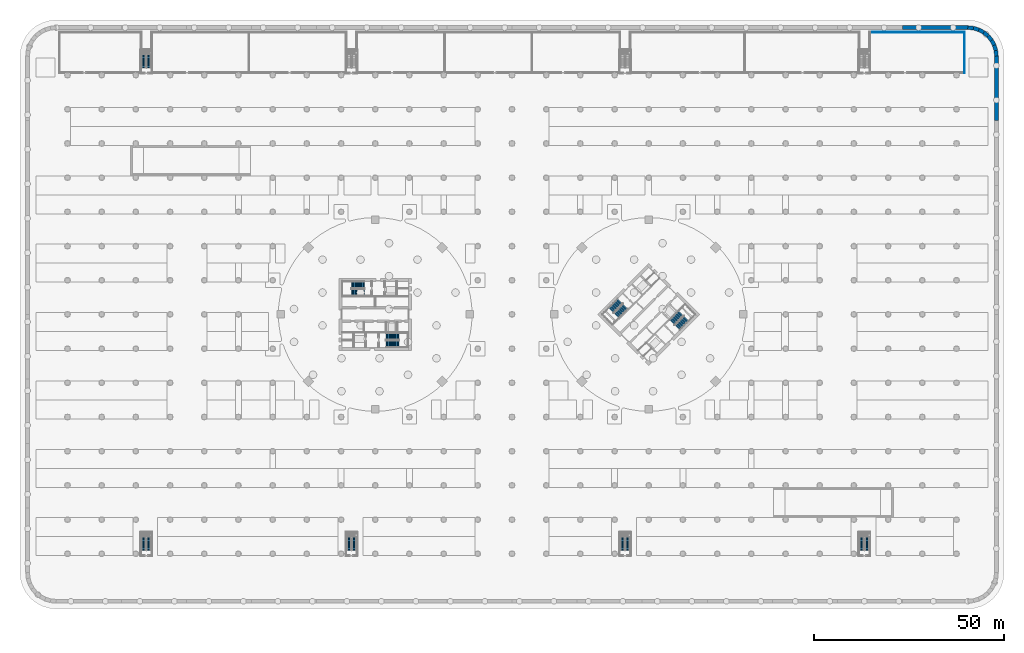
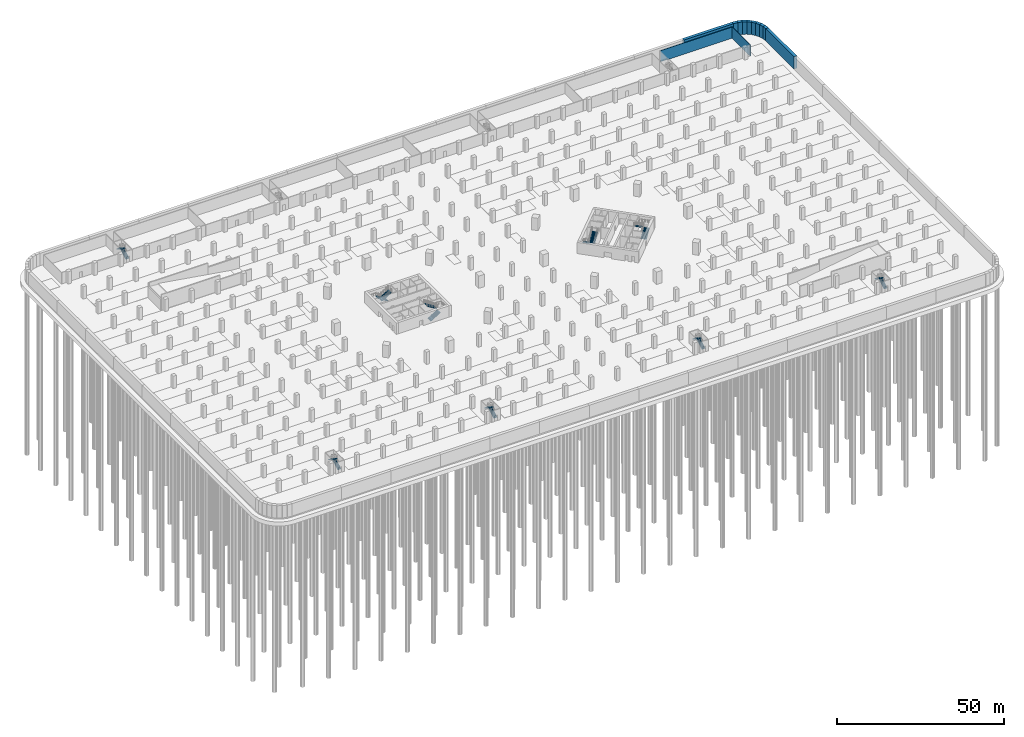
# One storey, part 23 of 39: 18 stair flights, 12 walls, 9 elements without a shape of their own.
"""IFC4 building model written with IfcOpenShell, lengths in metres."""

from ifc_helpers import new_model, si_unit, direction, frame, frame_2d, origin, place, context, subcontext, project, spatial, polyline, rectangle, outline, extrude, material, layer, layer_set, type_object, element, aggregate, save


model = new_model("IFC4")

# Units and contexts
model_context = context("Model", 3, precision=1e-05, world=origin(), true_north=direction((0.0, 1.0)))
body_context = subcontext(model_context, "Body", "Model", "MODEL_VIEW")
ifc_project = project(units=[si_unit("LENGTHUNIT", "METRE"), si_unit("AREAUNIT", "SQUARE_METRE"), si_unit("VOLUMEUNIT", "CUBIC_METRE"), si_unit("PLANEANGLEUNIT", "RADIAN"), si_unit("MASSUNIT", "GRAM", prefix="KILO")], contexts=[model_context])

# Site, building, storey
site_placement = place(None, origin())
site = spatial("IfcSite", under=ifc_project, at=site_placement, CompositionType="ELEMENT")
building_placement = place(site_placement, origin())
building = spatial("IfcBuilding", under=site, at=building_placement, Name="Ogive Gate Towers", CompositionType="ELEMENT")
storey_placement = place(building_placement, frame((0.0, 0.0, -9.0)))
storey = spatial("IfcBuildingStorey", under=building, at=storey_placement, Name="B2", CompositionType="ELEMENT", Elevation=-9.0)

# Walls
ifc_material_1 = material(Name="Blockwork", Category="masonry")
ifc_layer_1 = layer(ifc_material_1, 0.199951171875)
ifc_layer_set_1 = layer_set([ifc_layer_1], Name="Plant room wall 200")
wall_type_1 = type_object("IfcWallType", Name="Plant room wall 200", PredefinedType="PARTITIONING", material=ifc_layer_set_1)
wall_1_placement = place(storey_placement, frame((119.10009765625, 63.5, 0.0), z_axis=(0.0, 0.0, 1.0), x_axis=(0.0, 1.0, 0.0)))
element("IfcWall", 1, at=wall_1_placement, inside=storey, type_object=wall_type_1, Name="Plant room wall B2-014", PredefinedType="PARTITIONING", context=body_context, shape_type="SweptSolid", body=[
    extrude(rectangle(XDim=10.89990234375, YDim=0.199951171875, at=frame_2d((5.449951171875, 0.0))), origin(), (0.0, 0.0, 1.0), 4.10009765625),
])
wall_2_placement = place(storey_placement, frame((94.25, 74.300048828125, 0.0), z_axis=(0.0, 0.0, 1.0), x_axis=(1.0, 0.0, 0.0)))
element("IfcWall", 2, at=wall_2_placement, inside=storey, type_object=wall_type_1, Name="Plant room wall B2-032", PredefinedType="PARTITIONING", context=body_context, shape_type="SweptSolid", body=[
    extrude(rectangle(XDim=24.75, YDim=0.199951171875, at=frame_2d((12.375, 0.0))), origin(), (0.0, 0.0, 1.0), 4.10009765625),
])
ifc_material_2 = material(Name="Concrete C40/50", Category="concrete")
ifc_layer_2 = layer(ifc_material_2, 1.0)
ifc_layer_set_2 = layer_set([ifc_layer_2], Name="Retaining wall 1000")
wall_type_2 = type_object("IfcWallType", Name="Retaining wall 1000", PredefinedType="SOLIDWALL", material=ifc_layer_set_2)
wall_3_placement = place(storey_placement, frame((102.836181640625, 75.5, 0.0), z_axis=(0.0, 0.0, 1.0), x_axis=(1.0, 0.0, 0.0)))
element("IfcWall", 3, at=wall_3_placement, inside=storey, type_object=wall_type_2, Name="BS/B2/SWL052", PredefinedType="SOLIDWALL", context=body_context, shape_type="SweptSolid", body=[
    extrude(rectangle(XDim=17.13916015625, YDim=1.0, at=frame_2d((8.569580078125, 0.0))), origin(), (0.0, 0.0, 1.0), 4.5),
])
wall_4_placement = place(storey_placement, frame((119.975341796875, 75.5, 0.0), z_axis=(0.0, 0.0, 1.0), x_axis=(0.995184880112, -0.098015582414, 0.0)))
element("IfcWall", 4, at=wall_4_placement, inside=storey, type_object=wall_type_2, Name="BS/B2/SWL053", PredefinedType="SOLIDWALL", context=body_context, shape_type="SweptSolid", body=[
    extrude(rectangle(XDim=1.494384765625, YDim=1.0, at=frame_2d((0.7470703125, 0.0))), origin(), (0.0, 0.0, 1.0), 4.5),
])
for number, where, z_axis, x_axis, name in (
    (5, (121.462646484375, 75.353515625, 0.0), (0.0, 0.0, 1.0), (0.956920965645, -0.290348524206, 0.0), "BS/B2/SWL054"),
    (6, (122.869140625, 74.9267578125, 0.0), (0.0, 0.0, 1.0), (0.882007853381, -0.471234704339, 0.0), "BS/B2/SWL055"),
    (7, (124.16552734375, 74.234130859375, 0.0), (0.0, 0.0, 1.0), (0.772897900132, -0.634530405868, 0.0), "BS/B2/SWL056"),
    (8, (125.301513671875, 73.301513671875, 0.0), (0.0, 0.0, 1.0), (0.634530405868, -0.772897900132, 0.0), "BS/B2/SWL057"),
    (9, (126.234130859375, 72.16552734375, 0.0), (0.0, 0.0, 1.0), (0.471234704339, -0.882007853381, 0.0), "BS/B2/SWL058"),
    (10, (126.9267578125, 70.869140625, 0.0), (0.0, 0.0, 1.0), (0.290348524206, -0.956920965645, 0.0), "BS/B2/SWL059"),
):
    element("IfcWall", number, at=place(storey_placement, frame(where, z_axis=z_axis, x_axis=x_axis)), inside=storey, type_object=wall_type_2, Name=name, PredefinedType="SOLIDWALL", context=body_context, shape_type="SweptSolid", body=[
        extrude(rectangle(XDim=1.4697265625, YDim=1.0, at=frame_2d((0.73486328125, 0.0))), origin(), (0.0, 0.0, 1.0), 4.5),
    ])
wall_5_placement = place(storey_placement, frame((127.353515625, 69.462646484375, 0.0), z_axis=(0.0, 0.0, 1.0), x_axis=(0.098015582414, -0.995184880112, 0.0)))
element("IfcWall", 11, at=wall_5_placement, inside=storey, type_object=wall_type_2, Name="BS/B2/SWL060", PredefinedType="SOLIDWALL", context=body_context, shape_type="SweptSolid", body=[
    extrude(rectangle(XDim=1.494384765625, YDim=1.0, at=frame_2d((0.7470703125, 0.0))), origin(), (0.0, 0.0, 1.0), 4.5),
])
wall_6_placement = place(storey_placement, frame((127.5, 67.975341796875, 0.0), z_axis=(0.0, 0.0, 1.0), x_axis=(0.0, -1.0, 0.0)))
element("IfcWall", 12, at=wall_6_placement, inside=storey, type_object=wall_type_2, Name="BS/B2/SWL061", PredefinedType="SOLIDWALL", context=body_context, shape_type="SweptSolid", body=[
    extrude(rectangle(XDim=16.99365234375, YDim=1.0, at=frame_2d((8.496826171875, 0.0))), origin(), (0.0, 0.0, 1.0), 4.5),
])

# Stair, stair flights
ifc_material_3 = material(Name="Reinforced concrete C32/40", Category="concrete")
stair_type_1 = type_object("IfcStairType", Name="Car park escape stair 173 x 280", PredefinedType="HALF_TURN_STAIR", material=ifc_material_3)
stair_1_placement = place(storey_placement, origin())
stair_1 = element("IfcStair", 13, at=stair_1_placement, inside=storey, type_object=stair_type_1, Name="B2 escape stair", PredefinedType="HALF_TURN_STAIR")
stair_flight_type_1 = type_object("IfcStairFlightType", Name="Car park escape stair flight 173 x 280", PredefinedType="STRAIGHT", material=ifc_material_3)
stair_flight_1_placement = place(storey_placement, frame((-95.550048828125, 64.89990234375, 0.0), z_axis=(0.0, 0.0, 1.0), x_axis=(0.0, 1.0, 0.0)))
stair_flight_1 = element("IfcStairFlight", 14, at=stair_flight_1_placement, type_object=stair_flight_type_1, Name="CS1 flight 1", NumberOfRisers=13, NumberOfTreads=12, PredefinedType="STRAIGHT", RiserHeight=0.173076923, TreadLength=0.28, context=body_context, shape_type="SweptSolid", body=[
    extrude(outline(polyline([(0.0, 0.0), (0.0, 0.173095703125), (0.280029296875, 0.173095703125), (0.280029296875, 0.34619140625), (0.56005859375, 0.34619140625), (0.56005859375, 0.519287109375), (0.840087890625, 0.519287109375), (0.840087890625, 0.6923828125), (1.1201171875, 0.6923828125), (1.1201171875, 0.865478515625), (1.39990234375, 0.865478515625), (1.39990234375, 1.03857421875), (1.679931640625, 1.03857421875), (1.679931640625, 1.21142578125), (1.9599609375, 1.21142578125), (1.9599609375, 1.384521484375), (2.239990234375, 1.384521484375), (2.239990234375, 1.5576171875), (2.52001953125, 1.5576171875), (2.52001953125, 1.730712890625), (2.800048828125, 1.730712890625), (2.800048828125, 1.90380859375), (3.080078125, 1.90380859375), (3.080078125, 2.076904296875), (3.360107421875, 2.076904296875), (3.360107421875, 2.25), (3.360107421875, 1.900634765625), (0.28515625, 0.0), (0.0, 0.0)])), frame((0.0, 0.60009765625, 0.0), z_axis=(0.0, -1.0, 0.0), x_axis=(1.0, 0.0, 0.0)), (0.0, 0.0, 1.0), 1.199951171875),
])
stair_flight_2_placement = place(storey_placement, frame((-96.89990234375, 68.260009765625, 2.25), z_axis=(0.0, 0.0, 1.0), x_axis=(0.0, -1.0, 0.0)))
stair_flight_2 = element("IfcStairFlight", 15, at=stair_flight_2_placement, type_object=stair_flight_type_1, Name="CS1 flight 2", NumberOfRisers=13, NumberOfTreads=12, PredefinedType="STRAIGHT", RiserHeight=0.173076923, TreadLength=0.28, context=body_context, shape_type="SweptSolid", body=[
    extrude(outline(polyline([(0.0, 0.0), (0.0, 0.173095703125), (0.280029296875, 0.173095703125), (0.280029296875, 0.34619140625), (0.56005859375, 0.34619140625), (0.56005859375, 0.519287109375), (0.840087890625, 0.519287109375), (0.840087890625, 0.6923828125), (1.1201171875, 0.6923828125), (1.1201171875, 0.865478515625), (1.39990234375, 0.865478515625), (1.39990234375, 1.03857421875), (1.679931640625, 1.03857421875), (1.679931640625, 1.21142578125), (1.9599609375, 1.21142578125), (1.9599609375, 1.384521484375), (2.239990234375, 1.384521484375), (2.239990234375, 1.5576171875), (2.52001953125, 1.5576171875), (2.52001953125, 1.730712890625), (2.800048828125, 1.730712890625), (2.800048828125, 1.90380859375), (3.080078125, 1.90380859375), (3.080078125, 2.076904296875), (3.360107421875, 2.076904296875), (3.360107421875, 2.25), (3.360107421875, 1.900634765625), (0.28515625, 0.0), (0.0, 0.0)])), frame((0.0, 0.60009765625, 0.0), z_axis=(0.0, -1.0, 0.0), x_axis=(1.0, 0.0, 0.0)), (0.0, 0.0, 1.0), 1.199951171875),
])
aggregate(stair_1, [stair_flight_1, stair_flight_2])

stair_2_placement = place(storey_placement, origin())
stair_2 = element("IfcStair", 16, at=stair_2_placement, inside=storey, type_object=stair_type_1, Name="B2 escape stair", PredefinedType="HALF_TURN_STAIR")
stair_flight_3_placement = place(storey_placement, frame((-95.550048828125, -62.10009765625, 0.0), z_axis=(0.0, 0.0, 1.0), x_axis=(0.0, 1.0, 0.0)))
stair_flight_3 = element("IfcStairFlight", 17, at=stair_flight_3_placement, type_object=stair_flight_type_1, Name="CS5 flight 1", NumberOfRisers=13, NumberOfTreads=12, PredefinedType="STRAIGHT", RiserHeight=0.173076923, TreadLength=0.28, context=body_context, shape_type="SweptSolid", body=[
    extrude(outline(polyline([(0.0, 0.0), (0.0, 0.173095703125), (0.280029296875, 0.173095703125), (0.280029296875, 0.34619140625), (0.56005859375, 0.34619140625), (0.56005859375, 0.519287109375), (0.840087890625, 0.519287109375), (0.840087890625, 0.6923828125), (1.1201171875, 0.6923828125), (1.1201171875, 0.865478515625), (1.39990234375, 0.865478515625), (1.39990234375, 1.03857421875), (1.679931640625, 1.03857421875), (1.679931640625, 1.21142578125), (1.9599609375, 1.21142578125), (1.9599609375, 1.384521484375), (2.239990234375, 1.384521484375), (2.239990234375, 1.5576171875), (2.52001953125, 1.5576171875), (2.52001953125, 1.730712890625), (2.800048828125, 1.730712890625), (2.800048828125, 1.90380859375), (3.080078125, 1.90380859375), (3.080078125, 2.076904296875), (3.360107421875, 2.076904296875), (3.360107421875, 2.25), (3.360107421875, 1.900634765625), (0.28515625, 0.0), (0.0, 0.0)])), frame((0.0, 0.60009765625, 0.0), z_axis=(0.0, -1.0, 0.0), x_axis=(1.0, 0.0, 0.0)), (0.0, 0.0, 1.0), 1.199951171875),
])
stair_flight_4_placement = place(storey_placement, frame((-96.89990234375, -58.739990234375, 2.25), z_axis=(0.0, 0.0, 1.0), x_axis=(0.0, -1.0, 0.0)))
stair_flight_4 = element("IfcStairFlight", 18, at=stair_flight_4_placement, type_object=stair_flight_type_1, Name="CS5 flight 2", NumberOfRisers=13, NumberOfTreads=12, PredefinedType="STRAIGHT", RiserHeight=0.173076923, TreadLength=0.28, context=body_context, shape_type="SweptSolid", body=[
    extrude(outline(polyline([(0.0, 0.0), (0.0, 0.173095703125), (0.280029296875, 0.173095703125), (0.280029296875, 0.34619140625), (0.56005859375, 0.34619140625), (0.56005859375, 0.519287109375), (0.840087890625, 0.519287109375), (0.840087890625, 0.6923828125), (1.1201171875, 0.6923828125), (1.1201171875, 0.865478515625), (1.39990234375, 0.865478515625), (1.39990234375, 1.03857421875), (1.679931640625, 1.03857421875), (1.679931640625, 1.21142578125), (1.9599609375, 1.21142578125), (1.9599609375, 1.384521484375), (2.239990234375, 1.384521484375), (2.239990234375, 1.5576171875), (2.52001953125, 1.5576171875), (2.52001953125, 1.730712890625), (2.800048828125, 1.730712890625), (2.800048828125, 1.90380859375), (3.080078125, 1.90380859375), (3.080078125, 2.076904296875), (3.360107421875, 2.076904296875), (3.360107421875, 2.25), (3.360107421875, 1.900634765625), (0.28515625, 0.0), (0.0, 0.0)])), frame((0.0, 0.60009765625, 0.0), z_axis=(0.0, -1.0, 0.0), x_axis=(1.0, 0.0, 0.0)), (0.0, 0.0, 1.0), 1.199951171875),
])
aggregate(stair_2, [stair_flight_3, stair_flight_4])

stair_3_placement = place(storey_placement, origin())
stair_3 = element("IfcStair", 19, at=stair_3_placement, inside=storey, type_object=stair_type_1, Name="B2 escape stair", PredefinedType="HALF_TURN_STAIR")
stair_flight_5_placement = place(storey_placement, frame((-41.550048828125, -62.10009765625, 0.0), z_axis=(0.0, 0.0, 1.0), x_axis=(0.0, 1.0, 0.0)))
stair_flight_5 = element("IfcStairFlight", 20, at=stair_flight_5_placement, type_object=stair_flight_type_1, Name="CS6 flight 1", NumberOfRisers=13, NumberOfTreads=12, PredefinedType="STRAIGHT", RiserHeight=0.173076923, TreadLength=0.28, context=body_context, shape_type="SweptSolid", body=[
    extrude(outline(polyline([(0.0, 0.0), (0.0, 0.173095703125), (0.280029296875, 0.173095703125), (0.280029296875, 0.34619140625), (0.56005859375, 0.34619140625), (0.56005859375, 0.519287109375), (0.840087890625, 0.519287109375), (0.840087890625, 0.6923828125), (1.1201171875, 0.6923828125), (1.1201171875, 0.865478515625), (1.39990234375, 0.865478515625), (1.39990234375, 1.03857421875), (1.679931640625, 1.03857421875), (1.679931640625, 1.21142578125), (1.9599609375, 1.21142578125), (1.9599609375, 1.384521484375), (2.239990234375, 1.384521484375), (2.239990234375, 1.5576171875), (2.52001953125, 1.5576171875), (2.52001953125, 1.730712890625), (2.800048828125, 1.730712890625), (2.800048828125, 1.90380859375), (3.080078125, 1.90380859375), (3.080078125, 2.076904296875), (3.360107421875, 2.076904296875), (3.360107421875, 2.25), (3.360107421875, 1.900634765625), (0.28515625, 0.0), (0.0, 0.0)])), frame((0.0, 0.60009765625, 0.0), z_axis=(0.0, -1.0, 0.0), x_axis=(1.0, 0.0, 0.0)), (0.0, 0.0, 1.0), 1.199951171875),
])
stair_flight_6_placement = place(storey_placement, frame((-42.89990234375, -58.739990234375, 2.25), z_axis=(0.0, 0.0, 1.0), x_axis=(0.0, -1.0, 0.0)))
stair_flight_6 = element("IfcStairFlight", 21, at=stair_flight_6_placement, type_object=stair_flight_type_1, Name="CS6 flight 2", NumberOfRisers=13, NumberOfTreads=12, PredefinedType="STRAIGHT", RiserHeight=0.173076923, TreadLength=0.28, context=body_context, shape_type="SweptSolid", body=[
    extrude(outline(polyline([(0.0, 0.0), (0.0, 0.173095703125), (0.280029296875, 0.173095703125), (0.280029296875, 0.34619140625), (0.56005859375, 0.34619140625), (0.56005859375, 0.519287109375), (0.840087890625, 0.519287109375), (0.840087890625, 0.6923828125), (1.1201171875, 0.6923828125), (1.1201171875, 0.865478515625), (1.39990234375, 0.865478515625), (1.39990234375, 1.03857421875), (1.679931640625, 1.03857421875), (1.679931640625, 1.21142578125), (1.9599609375, 1.21142578125), (1.9599609375, 1.384521484375), (2.239990234375, 1.384521484375), (2.239990234375, 1.5576171875), (2.52001953125, 1.5576171875), (2.52001953125, 1.730712890625), (2.800048828125, 1.730712890625), (2.800048828125, 1.90380859375), (3.080078125, 1.90380859375), (3.080078125, 2.076904296875), (3.360107421875, 2.076904296875), (3.360107421875, 2.25), (3.360107421875, 1.900634765625), (0.28515625, 0.0), (0.0, 0.0)])), frame((0.0, 0.60009765625, 0.0), z_axis=(0.0, -1.0, 0.0), x_axis=(1.0, 0.0, 0.0)), (0.0, 0.0, 1.0), 1.199951171875),
])
aggregate(stair_3, [stair_flight_5, stair_flight_6])

stair_4_placement = place(storey_placement, origin())
stair_4 = element("IfcStair", 22, at=stair_4_placement, inside=storey, type_object=stair_type_1, Name="B2 escape stair", PredefinedType="HALF_TURN_STAIR")
stair_flight_7_placement = place(storey_placement, frame((30.449951171875, -62.10009765625, 0.0), z_axis=(0.0, 0.0, 1.0), x_axis=(0.0, 1.0, 0.0)))
stair_flight_7 = element("IfcStairFlight", 23, at=stair_flight_7_placement, type_object=stair_flight_type_1, Name="CS7 flight 1", NumberOfRisers=13, NumberOfTreads=12, PredefinedType="STRAIGHT", RiserHeight=0.173076923, TreadLength=0.28, context=body_context, shape_type="SweptSolid", body=[
    extrude(outline(polyline([(0.0, 0.0), (0.0, 0.173095703125), (0.280029296875, 0.173095703125), (0.280029296875, 0.34619140625), (0.56005859375, 0.34619140625), (0.56005859375, 0.519287109375), (0.840087890625, 0.519287109375), (0.840087890625, 0.6923828125), (1.1201171875, 0.6923828125), (1.1201171875, 0.865478515625), (1.39990234375, 0.865478515625), (1.39990234375, 1.03857421875), (1.679931640625, 1.03857421875), (1.679931640625, 1.21142578125), (1.9599609375, 1.21142578125), (1.9599609375, 1.384521484375), (2.239990234375, 1.384521484375), (2.239990234375, 1.5576171875), (2.52001953125, 1.5576171875), (2.52001953125, 1.730712890625), (2.800048828125, 1.730712890625), (2.800048828125, 1.90380859375), (3.080078125, 1.90380859375), (3.080078125, 2.076904296875), (3.360107421875, 2.076904296875), (3.360107421875, 2.25), (3.360107421875, 1.900634765625), (0.28515625, 0.0), (0.0, 0.0)])), frame((0.0, 0.60009765625, 0.0), z_axis=(0.0, -1.0, 0.0), x_axis=(1.0, 0.0, 0.0)), (0.0, 0.0, 1.0), 1.199951171875),
])
stair_flight_8_placement = place(storey_placement, frame((29.10009765625, -58.739990234375, 2.25), z_axis=(0.0, 0.0, 1.0), x_axis=(0.0, -1.0, 0.0)))
stair_flight_8 = element("IfcStairFlight", 24, at=stair_flight_8_placement, type_object=stair_flight_type_1, Name="CS7 flight 2", NumberOfRisers=13, NumberOfTreads=12, PredefinedType="STRAIGHT", RiserHeight=0.173076923, TreadLength=0.28, context=body_context, shape_type="SweptSolid", body=[
    extrude(outline(polyline([(0.0, 0.0), (0.0, 0.173095703125), (0.280029296875, 0.173095703125), (0.280029296875, 0.34619140625), (0.56005859375, 0.34619140625), (0.56005859375, 0.519287109375), (0.840087890625, 0.519287109375), (0.840087890625, 0.6923828125), (1.1201171875, 0.6923828125), (1.1201171875, 0.865478515625), (1.39990234375, 0.865478515625), (1.39990234375, 1.03857421875), (1.679931640625, 1.03857421875), (1.679931640625, 1.21142578125), (1.9599609375, 1.21142578125), (1.9599609375, 1.384521484375), (2.239990234375, 1.384521484375), (2.239990234375, 1.5576171875), (2.52001953125, 1.5576171875), (2.52001953125, 1.730712890625), (2.800048828125, 1.730712890625), (2.800048828125, 1.90380859375), (3.080078125, 1.90380859375), (3.080078125, 2.076904296875), (3.360107421875, 2.076904296875), (3.360107421875, 2.25), (3.360107421875, 1.900634765625), (0.28515625, 0.0), (0.0, 0.0)])), frame((0.0, 0.60009765625, 0.0), z_axis=(0.0, -1.0, 0.0), x_axis=(1.0, 0.0, 0.0)), (0.0, 0.0, 1.0), 1.199951171875),
])
aggregate(stair_4, [stair_flight_7, stair_flight_8])

stair_5_placement = place(storey_placement, origin())
stair_5 = element("IfcStair", 25, at=stair_5_placement, inside=storey, type_object=stair_type_1, Name="B2 escape stair", PredefinedType="HALF_TURN_STAIR")
stair_flight_9_placement = place(storey_placement, frame((93.449951171875, -62.10009765625, 0.0), z_axis=(0.0, 0.0, 1.0), x_axis=(0.0, 1.0, 0.0)))
stair_flight_9 = element("IfcStairFlight", 26, at=stair_flight_9_placement, type_object=stair_flight_type_1, Name="CS8 flight 1", NumberOfRisers=13, NumberOfTreads=12, PredefinedType="STRAIGHT", RiserHeight=0.173076923, TreadLength=0.28, context=body_context, shape_type="SweptSolid", body=[
    extrude(outline(polyline([(0.0, 0.0), (0.0, 0.173095703125), (0.280029296875, 0.173095703125), (0.280029296875, 0.34619140625), (0.56005859375, 0.34619140625), (0.56005859375, 0.519287109375), (0.840087890625, 0.519287109375), (0.840087890625, 0.6923828125), (1.1201171875, 0.6923828125), (1.1201171875, 0.865478515625), (1.39990234375, 0.865478515625), (1.39990234375, 1.03857421875), (1.679931640625, 1.03857421875), (1.679931640625, 1.21142578125), (1.9599609375, 1.21142578125), (1.9599609375, 1.384521484375), (2.239990234375, 1.384521484375), (2.239990234375, 1.5576171875), (2.52001953125, 1.5576171875), (2.52001953125, 1.730712890625), (2.800048828125, 1.730712890625), (2.800048828125, 1.90380859375), (3.080078125, 1.90380859375), (3.080078125, 2.076904296875), (3.360107421875, 2.076904296875), (3.360107421875, 2.25), (3.360107421875, 1.900634765625), (0.28515625, 0.0), (0.0, 0.0)])), frame((0.0, 0.60009765625, 0.0), z_axis=(0.0, -1.0, 0.0), x_axis=(1.0, 0.0, 0.0)), (0.0, 0.0, 1.0), 1.199951171875),
])
stair_flight_10_placement = place(storey_placement, frame((92.10009765625, -58.739990234375, 2.25), z_axis=(0.0, 0.0, 1.0), x_axis=(0.0, -1.0, 0.0)))
stair_flight_10 = element("IfcStairFlight", 27, at=stair_flight_10_placement, type_object=stair_flight_type_1, Name="CS8 flight 2", NumberOfRisers=13, NumberOfTreads=12, PredefinedType="STRAIGHT", RiserHeight=0.173076923, TreadLength=0.28, context=body_context, shape_type="SweptSolid", body=[
    extrude(outline(polyline([(0.0, 0.0), (0.0, 0.173095703125), (0.280029296875, 0.173095703125), (0.280029296875, 0.34619140625), (0.56005859375, 0.34619140625), (0.56005859375, 0.519287109375), (0.840087890625, 0.519287109375), (0.840087890625, 0.6923828125), (1.1201171875, 0.6923828125), (1.1201171875, 0.865478515625), (1.39990234375, 0.865478515625), (1.39990234375, 1.03857421875), (1.679931640625, 1.03857421875), (1.679931640625, 1.21142578125), (1.9599609375, 1.21142578125), (1.9599609375, 1.384521484375), (2.239990234375, 1.384521484375), (2.239990234375, 1.5576171875), (2.52001953125, 1.5576171875), (2.52001953125, 1.730712890625), (2.800048828125, 1.730712890625), (2.800048828125, 1.90380859375), (3.080078125, 1.90380859375), (3.080078125, 2.076904296875), (3.360107421875, 2.076904296875), (3.360107421875, 2.25), (3.360107421875, 1.900634765625), (0.28515625, 0.0), (0.0, 0.0)])), frame((0.0, 0.60009765625, 0.0), z_axis=(0.0, -1.0, 0.0), x_axis=(1.0, 0.0, 0.0)), (0.0, 0.0, 1.0), 1.199951171875),
])
aggregate(stair_5, [stair_flight_9, stair_flight_10])

stair_type_2 = type_object("IfcStairType", Name="Escape stair 1840 wide", PredefinedType="HALF_TURN_STAIR", material=ifc_material_2)
stair_6_placement = place(storey_placement, origin())
stair_6 = element("IfcStair", 28, at=stair_6_placement, inside=storey, type_object=stair_type_2, Name="B2 Escape stair 1", PredefinedType="HALF_TURN_STAIR")
stair_flight_type_2 = type_object("IfcStairFlightType", Name="Stair flight 1840 wide", PredefinedType="STRAIGHT", material=ifc_material_2)
stair_flight_11_placement = place(storey_placement, frame((-38.864990234375, 7.780029296875, 0.0), z_axis=(0.0, 0.0, 1.0), x_axis=(-1.0, 0.0, 0.0)))
stair_flight_11 = element("IfcStairFlight", 29, at=stair_flight_11_placement, type_object=stair_flight_type_2, Name="ST1 flight 1", NumberOfRisers=13, NumberOfTreads=12, PredefinedType="STRAIGHT", RiserHeight=0.173076923, TreadLength=0.28, context=body_context, shape_type="SweptSolid", body=[
    extrude(outline(polyline([(0.0, 0.0), (0.0, 0.173095703125), (0.280029296875, 0.173095703125), (0.280029296875, 0.34619140625), (0.56005859375, 0.34619140625), (0.56005859375, 0.519287109375), (0.840087890625, 0.519287109375), (0.840087890625, 0.6923828125), (1.1201171875, 0.6923828125), (1.1201171875, 0.865478515625), (1.39990234375, 0.865478515625), (1.39990234375, 1.03857421875), (1.679931640625, 1.03857421875), (1.679931640625, 1.21142578125), (1.9599609375, 1.21142578125), (1.9599609375, 1.384521484375), (2.239990234375, 1.384521484375), (2.239990234375, 1.5576171875), (2.52001953125, 1.5576171875), (2.52001953125, 1.730712890625), (2.800048828125, 1.730712890625), (2.800048828125, 1.90380859375), (3.080078125, 1.90380859375), (3.080078125, 2.076904296875), (3.360107421875, 2.076904296875), (3.360107421875, 2.25), (3.360107421875, 1.900634765625), (0.28515625, 0.0), (0.0, 0.0)])), frame((0.0, 0.919921875, 0.0), z_axis=(0.0, -1.0, 0.0), x_axis=(1.0, 0.0, 0.0)), (0.0, 0.0, 1.0), 1.840087890625),
])
stair_flight_12_placement = place(storey_placement, frame((-42.22509765625, 5.794921875, 2.25), z_axis=(0.0, 0.0, 1.0), x_axis=(1.0, 0.0, 0.0)))
stair_flight_12 = element("IfcStairFlight", 30, at=stair_flight_12_placement, type_object=stair_flight_type_2, Name="ST1 flight 2", NumberOfRisers=13, NumberOfTreads=12, PredefinedType="STRAIGHT", RiserHeight=0.173076923, TreadLength=0.28, context=body_context, shape_type="SweptSolid", body=[
    extrude(outline(polyline([(0.0, 0.0), (0.0, 0.173095703125), (0.280029296875, 0.173095703125), (0.280029296875, 0.34619140625), (0.56005859375, 0.34619140625), (0.56005859375, 0.519287109375), (0.840087890625, 0.519287109375), (0.840087890625, 0.6923828125), (1.1201171875, 0.6923828125), (1.1201171875, 0.865478515625), (1.39990234375, 0.865478515625), (1.39990234375, 1.03857421875), (1.679931640625, 1.03857421875), (1.679931640625, 1.21142578125), (1.9599609375, 1.21142578125), (1.9599609375, 1.384521484375), (2.239990234375, 1.384521484375), (2.239990234375, 1.5576171875), (2.52001953125, 1.5576171875), (2.52001953125, 1.730712890625), (2.800048828125, 1.730712890625), (2.800048828125, 1.90380859375), (3.080078125, 1.90380859375), (3.080078125, 2.076904296875), (3.360107421875, 2.076904296875), (3.360107421875, 2.25), (3.360107421875, 1.900634765625), (0.28515625, 0.0), (0.0, 0.0)])), frame((0.0, 0.919921875, 0.0), z_axis=(0.0, -1.0, 0.0), x_axis=(1.0, 0.0, 0.0)), (0.0, 0.0, 1.0), 1.840087890625),
])
aggregate(stair_6, [stair_flight_11, stair_flight_12])

stair_7_placement = place(storey_placement, origin())
stair_7 = element("IfcStair", 31, at=stair_7_placement, inside=storey, type_object=stair_type_2, Name="B2 Escape stair 2", PredefinedType="HALF_TURN_STAIR")
stair_flight_13_placement = place(storey_placement, frame((-33.135009765625, -7.780029296875, 0.0), z_axis=(0.0, 0.0, 1.0), x_axis=(1.0, 0.0, 0.0)))
stair_flight_13 = element("IfcStairFlight", 32, at=stair_flight_13_placement, type_object=stair_flight_type_2, Name="ST2 flight 1", NumberOfRisers=13, NumberOfTreads=12, PredefinedType="STRAIGHT", RiserHeight=0.173076923, TreadLength=0.28, context=body_context, shape_type="SweptSolid", body=[
    extrude(outline(polyline([(0.0, 0.0), (0.0, 0.173095703125), (0.280029296875, 0.173095703125), (0.280029296875, 0.34619140625), (0.56005859375, 0.34619140625), (0.56005859375, 0.519287109375), (0.840087890625, 0.519287109375), (0.840087890625, 0.6923828125), (1.1201171875, 0.6923828125), (1.1201171875, 0.865478515625), (1.39990234375, 0.865478515625), (1.39990234375, 1.03857421875), (1.679931640625, 1.03857421875), (1.679931640625, 1.21142578125), (1.9599609375, 1.21142578125), (1.9599609375, 1.384521484375), (2.239990234375, 1.384521484375), (2.239990234375, 1.5576171875), (2.52001953125, 1.5576171875), (2.52001953125, 1.730712890625), (2.800048828125, 1.730712890625), (2.800048828125, 1.90380859375), (3.080078125, 1.90380859375), (3.080078125, 2.076904296875), (3.360107421875, 2.076904296875), (3.360107421875, 2.25), (3.360107421875, 1.900634765625), (0.28515625, 0.0), (0.0, 0.0)])), frame((0.0, 0.919921875, 0.0), z_axis=(0.0, -1.0, 0.0), x_axis=(1.0, 0.0, 0.0)), (0.0, 0.0, 1.0), 1.840087890625),
])
stair_flight_14_placement = place(storey_placement, frame((-29.77490234375, -5.794921875, 2.25), z_axis=(0.0, 0.0, 1.0), x_axis=(-1.0, 0.0, 0.0)))
stair_flight_14 = element("IfcStairFlight", 33, at=stair_flight_14_placement, type_object=stair_flight_type_2, Name="ST2 flight 2", NumberOfRisers=13, NumberOfTreads=12, PredefinedType="STRAIGHT", RiserHeight=0.173076923, TreadLength=0.28, context=body_context, shape_type="SweptSolid", body=[
    extrude(outline(polyline([(0.0, 0.0), (0.0, 0.173095703125), (0.280029296875, 0.173095703125), (0.280029296875, 0.34619140625), (0.56005859375, 0.34619140625), (0.56005859375, 0.519287109375), (0.840087890625, 0.519287109375), (0.840087890625, 0.6923828125), (1.1201171875, 0.6923828125), (1.1201171875, 0.865478515625), (1.39990234375, 0.865478515625), (1.39990234375, 1.03857421875), (1.679931640625, 1.03857421875), (1.679931640625, 1.21142578125), (1.9599609375, 1.21142578125), (1.9599609375, 1.384521484375), (2.239990234375, 1.384521484375), (2.239990234375, 1.5576171875), (2.52001953125, 1.5576171875), (2.52001953125, 1.730712890625), (2.800048828125, 1.730712890625), (2.800048828125, 1.90380859375), (3.080078125, 1.90380859375), (3.080078125, 2.076904296875), (3.360107421875, 2.076904296875), (3.360107421875, 2.25), (3.360107421875, 1.900634765625), (0.28515625, 0.0), (0.0, 0.0)])), frame((0.0, 0.919921875, 0.0), z_axis=(0.0, -1.0, 0.0), x_axis=(1.0, 0.0, 0.0)), (0.0, 0.0, 1.0), 1.840087890625),
])
aggregate(stair_7, [stair_flight_13, stair_flight_14])

stair_8_placement = place(storey_placement, origin())
stair_8 = element("IfcStair", 34, at=stair_8_placement, inside=storey, type_object=stair_type_2, Name="B2 Escape stair 1", PredefinedType="HALF_TURN_STAIR")
stair_flight_15_placement = place(storey_placement, frame((28.472900390625, 3.475341796875, 0.0), z_axis=(0.0, 0.0, 1.0), x_axis=(-0.707106781187, -0.707106781187, 0.0)))
stair_flight_15 = element("IfcStairFlight", 35, at=stair_flight_15_placement, type_object=stair_flight_type_2, Name="ST1 flight 1", NumberOfRisers=13, NumberOfTreads=12, PredefinedType="STRAIGHT", RiserHeight=0.173076923, TreadLength=0.28, context=body_context, shape_type="SweptSolid", body=[
    extrude(outline(polyline([(0.0, 0.0), (0.0, 0.173095703125), (0.280029296875, 0.173095703125), (0.280029296875, 0.34619140625), (0.56005859375, 0.34619140625), (0.56005859375, 0.519287109375), (0.840087890625, 0.519287109375), (0.840087890625, 0.6923828125), (1.1201171875, 0.6923828125), (1.1201171875, 0.865478515625), (1.39990234375, 0.865478515625), (1.39990234375, 1.03857421875), (1.679931640625, 1.03857421875), (1.679931640625, 1.21142578125), (1.9599609375, 1.21142578125), (1.9599609375, 1.384521484375), (2.239990234375, 1.384521484375), (2.239990234375, 1.5576171875), (2.52001953125, 1.5576171875), (2.52001953125, 1.730712890625), (2.800048828125, 1.730712890625), (2.800048828125, 1.90380859375), (3.080078125, 1.90380859375), (3.080078125, 2.076904296875), (3.360107421875, 2.076904296875), (3.360107421875, 2.25), (3.360107421875, 1.900634765625), (0.28515625, 0.0), (0.0, 0.0)])), frame((0.0, 0.919921875, 0.0), z_axis=(0.0, -1.0, 0.0), x_axis=(1.0, 0.0, 0.0)), (0.0, 0.0, 1.0), 1.840087890625),
])
stair_flight_16_placement = place(storey_placement, frame((27.50048828125, -0.303955078125, 2.25), z_axis=(0.0, 0.0, 1.0), x_axis=(0.707106781187, 0.707106781187, 0.0)))
stair_flight_16 = element("IfcStairFlight", 36, at=stair_flight_16_placement, type_object=stair_flight_type_2, Name="ST1 flight 2", NumberOfRisers=13, NumberOfTreads=12, PredefinedType="STRAIGHT", RiserHeight=0.173076923, TreadLength=0.28, context=body_context, shape_type="SweptSolid", body=[
    extrude(outline(polyline([(0.0, 0.0), (0.0, 0.173095703125), (0.280029296875, 0.173095703125), (0.280029296875, 0.34619140625), (0.56005859375, 0.34619140625), (0.56005859375, 0.519287109375), (0.840087890625, 0.519287109375), (0.840087890625, 0.6923828125), (1.1201171875, 0.6923828125), (1.1201171875, 0.865478515625), (1.39990234375, 0.865478515625), (1.39990234375, 1.03857421875), (1.679931640625, 1.03857421875), (1.679931640625, 1.21142578125), (1.9599609375, 1.21142578125), (1.9599609375, 1.384521484375), (2.239990234375, 1.384521484375), (2.239990234375, 1.5576171875), (2.52001953125, 1.5576171875), (2.52001953125, 1.730712890625), (2.800048828125, 1.730712890625), (2.800048828125, 1.90380859375), (3.080078125, 1.90380859375), (3.080078125, 2.076904296875), (3.360107421875, 2.076904296875), (3.360107421875, 2.25), (3.360107421875, 1.900634765625), (0.28515625, 0.0), (0.0, 0.0)])), frame((0.0, 0.919921875, 0.0), z_axis=(0.0, -1.0, 0.0), x_axis=(1.0, 0.0, 0.0)), (0.0, 0.0, 1.0), 1.840087890625),
])
aggregate(stair_8, [stair_flight_15, stair_flight_16])

stair_9_placement = place(storey_placement, origin())
stair_9 = element("IfcStair", 37, at=stair_9_placement, inside=storey, type_object=stair_type_2, Name="B2 Escape stair 2", PredefinedType="HALF_TURN_STAIR")
stair_flight_17_placement = place(storey_placement, frame((43.527099609375, -3.475341796875, 0.0), z_axis=(0.0, 0.0, 1.0), x_axis=(0.707106781187, 0.707106781187, 0.0)))
stair_flight_17 = element("IfcStairFlight", 38, at=stair_flight_17_placement, type_object=stair_flight_type_2, Name="ST2 flight 1", NumberOfRisers=13, NumberOfTreads=12, PredefinedType="STRAIGHT", RiserHeight=0.173076923, TreadLength=0.28, context=body_context, shape_type="SweptSolid", body=[
    extrude(outline(polyline([(0.0, 0.0), (0.0, 0.173095703125), (0.280029296875, 0.173095703125), (0.280029296875, 0.34619140625), (0.56005859375, 0.34619140625), (0.56005859375, 0.519287109375), (0.840087890625, 0.519287109375), (0.840087890625, 0.6923828125), (1.1201171875, 0.6923828125), (1.1201171875, 0.865478515625), (1.39990234375, 0.865478515625), (1.39990234375, 1.03857421875), (1.679931640625, 1.03857421875), (1.679931640625, 1.21142578125), (1.9599609375, 1.21142578125), (1.9599609375, 1.384521484375), (2.239990234375, 1.384521484375), (2.239990234375, 1.5576171875), (2.52001953125, 1.5576171875), (2.52001953125, 1.730712890625), (2.800048828125, 1.730712890625), (2.800048828125, 1.90380859375), (3.080078125, 1.90380859375), (3.080078125, 2.076904296875), (3.360107421875, 2.076904296875), (3.360107421875, 2.25), (3.360107421875, 1.900634765625), (0.28515625, 0.0), (0.0, 0.0)])), frame((0.0, 0.919921875, 0.0), z_axis=(0.0, -1.0, 0.0), x_axis=(1.0, 0.0, 0.0)), (0.0, 0.0, 1.0), 1.840087890625),
])
stair_flight_18_placement = place(storey_placement, frame((44.49951171875, 0.303955078125, 2.25), z_axis=(0.0, 0.0, 1.0), x_axis=(-0.707106781187, -0.707106781187, 0.0)))
stair_flight_18 = element("IfcStairFlight", 39, at=stair_flight_18_placement, type_object=stair_flight_type_2, Name="ST2 flight 2", NumberOfRisers=13, NumberOfTreads=12, PredefinedType="STRAIGHT", RiserHeight=0.173076923, TreadLength=0.28, context=body_context, shape_type="SweptSolid", body=[
    extrude(outline(polyline([(0.0, 0.0), (0.0, 0.173095703125), (0.280029296875, 0.173095703125), (0.280029296875, 0.34619140625), (0.56005859375, 0.34619140625), (0.56005859375, 0.519287109375), (0.840087890625, 0.519287109375), (0.840087890625, 0.6923828125), (1.1201171875, 0.6923828125), (1.1201171875, 0.865478515625), (1.39990234375, 0.865478515625), (1.39990234375, 1.03857421875), (1.679931640625, 1.03857421875), (1.679931640625, 1.21142578125), (1.9599609375, 1.21142578125), (1.9599609375, 1.384521484375), (2.239990234375, 1.384521484375), (2.239990234375, 1.5576171875), (2.52001953125, 1.5576171875), (2.52001953125, 1.730712890625), (2.800048828125, 1.730712890625), (2.800048828125, 1.90380859375), (3.080078125, 1.90380859375), (3.080078125, 2.076904296875), (3.360107421875, 2.076904296875), (3.360107421875, 2.25), (3.360107421875, 1.900634765625), (0.28515625, 0.0), (0.0, 0.0)])), frame((0.0, 0.919921875, 0.0), z_axis=(0.0, -1.0, 0.0), x_axis=(1.0, 0.0, 0.0)), (0.0, 0.0, 1.0), 1.840087890625),
])
aggregate(stair_9, [stair_flight_17, stair_flight_18])

save(model, "model.ifc")
